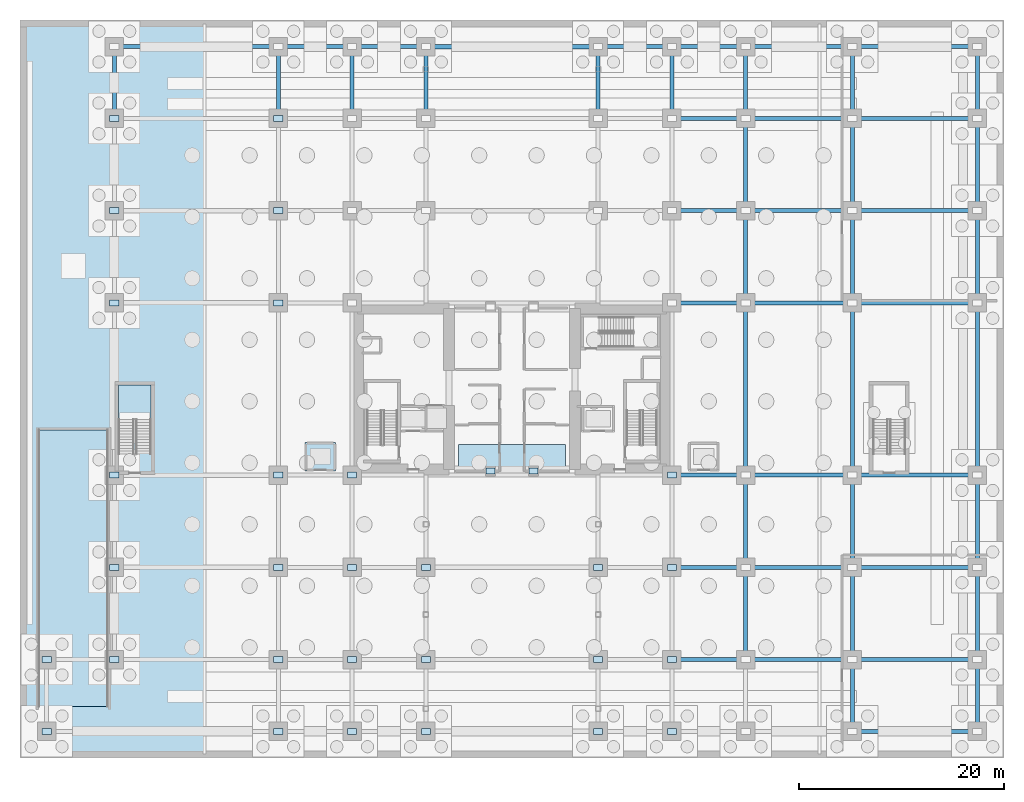
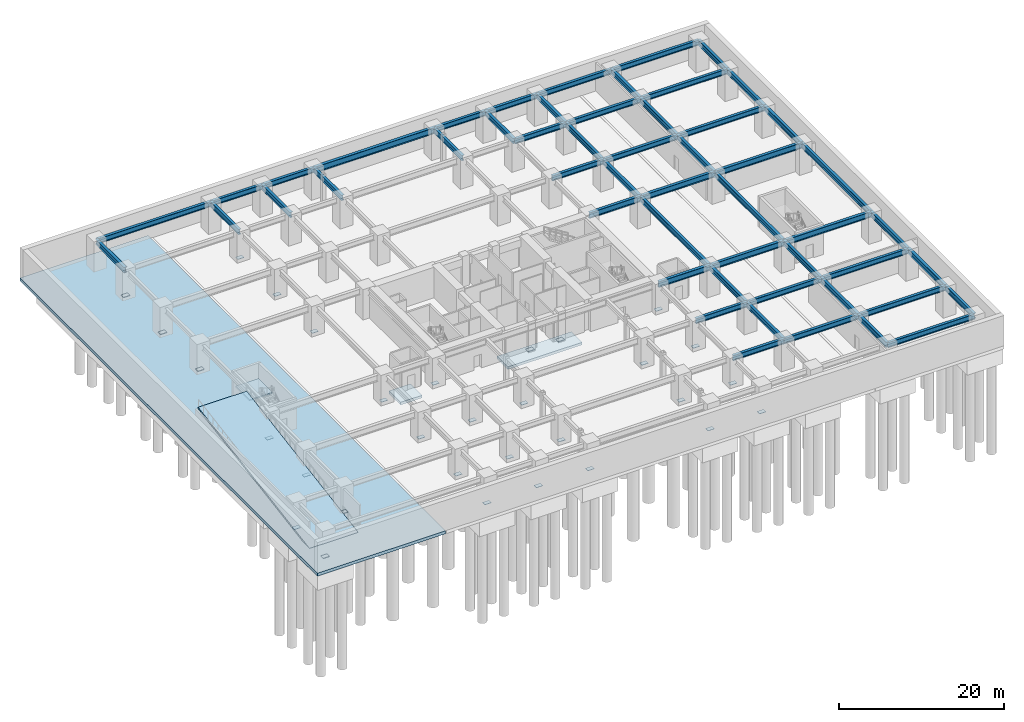
# One storey, part 7 of 23: 53 beams, 31 plates, 5 slabs, 1 element without a shape of its own.
"""IFC4 building model written with IfcOpenShell, lengths in metres."""

from ifc_helpers import new_model, si_unit, direction, frame, origin, origin_2d, place, context, subcontext, project, spatial, polyline, rectangle, i_section, outline, extrude, material, layer, layer_set, material_profile, profile_set, type_object, element, aggregate, save


model = new_model("IFC4")

# Units and contexts
model_context = context("Model", 3, precision=1e-05, world=origin(), true_north=direction((0.0, 1.0)))
body_context = subcontext(model_context, "Body", "Model", "MODEL_VIEW")
ifc_project = project(units=[si_unit("LENGTHUNIT", "METRE"), si_unit("AREAUNIT", "SQUARE_METRE"), si_unit("VOLUMEUNIT", "CUBIC_METRE"), si_unit("PLANEANGLEUNIT", "RADIAN"), si_unit("MASSUNIT", "GRAM", prefix="KILO")], contexts=[model_context])

# Site, building, storey
site_placement = place(None, origin())
site = spatial("IfcSite", under=ifc_project, at=site_placement, CompositionType="ELEMENT")
building_placement = place(site_placement, origin())
building = spatial("IfcBuilding", under=site, at=building_placement, Name="Kiyonajd Concourse Tower", CompositionType="ELEMENT")
storey_placement = place(building_placement, frame((0.0, 0.0, -9.0)))
storey = spatial("IfcBuildingStorey", under=building, at=storey_placement, Name="B2", CompositionType="ELEMENT", Elevation=-9.0)

# Beams
ifc_material_1 = material(Name="Steel ASTM A992 Grade 50", Category="steel")
ifc_material_profile_1 = material_profile(ifc_material_1, i_section(OverallWidth=0.41796875, OverallDepth=0.912109375, WebThickness=0.019287109375, FlangeThickness=0.031982421875, at=origin_2d()), Name="W920X342")
ifc_profile_set_1 = profile_set([ifc_material_profile_1], Name="Steel ASTM A992 Grade 50")
beam_type_1 = type_object("IfcBeamType", Name="BM-CON-920B", PredefinedType="BEAM", material=ifc_profile_set_1)
beam_1_placement = place(storey_placement, frame((39.60009765625, 69.39990234375, 3.72412109375), z_axis=(1.0, 0.0, 0.0), x_axis=(0.0, 1.0, 0.0)))
element("IfcBeam", 1, at=beam_1_placement, inside=storey, type_object=beam_type_1, Name="B2 Concourse Clear Span Girder", PredefinedType="BEAM", context=body_context, shape_type="SweptSolid", body=[
    extrude(i_section(OverallWidth=0.41796875, OverallDepth=0.912109375, WebThickness=0.019287109375, FlangeThickness=0.031982421875, at=origin_2d()), origin(), (0.0, 0.0, 1.0), 16.7998046875),
])
ifc_material_profile_2 = material_profile(ifc_material_1, i_section(OverallWidth=0.381103515625, OverallDepth=0.77294921875, WebThickness=0.0166015625, FlangeThickness=0.027099609375, at=origin_2d()), Name="W760X257")
ifc_profile_set_2 = profile_set([ifc_material_profile_2], Name="Steel ASTM A992 Grade 50")
beam_type_2 = type_object("IfcBeamType", Name="BM-POD-760", PredefinedType="BEAM", material=ifc_profile_set_2)
beam_2_placement = place(storey_placement, frame((81.199951171875, 2.60009765625, 3.79345703125), z_axis=(1.0, 0.0, 0.0), x_axis=(0.0, 1.0, 0.0)))
element("IfcBeam", 2, at=beam_2_placement, inside=storey, type_object=beam_type_2, Name="B2 Podium Primary Beam", PredefinedType="BEAM", context=body_context, shape_type="SweptSolid", body=[
    extrude(i_section(OverallWidth=0.381103515625, OverallDepth=0.77294921875, WebThickness=0.0166015625, FlangeThickness=0.027099609375, at=origin_2d()), origin(), (0.0, 0.0, 1.0), 12.199951171875),
])
beam_3_placement = place(storey_placement, frame((63.60009765625, 9.60009765625, 3.79345703125), z_axis=(1.0, 0.0, 0.0), x_axis=(0.0, 1.0, 0.0)))
element("IfcBeam", 3, at=beam_3_placement, inside=storey, type_object=beam_type_2, Name="B2 Podium Primary Beam", PredefinedType="BEAM", context=body_context, shape_type="SweptSolid", body=[
    extrude(i_section(OverallWidth=0.381103515625, OverallDepth=0.77294921875, WebThickness=0.0166015625, FlangeThickness=0.027099609375, at=origin_2d()), origin(), (0.0, 0.0, 1.0), 7.199951171875),
])
beam_4_placement = place(storey_placement, frame((70.800048828125, 9.60009765625, 3.79345703125), z_axis=(1.0, 0.0, 0.0), x_axis=(0.0, 1.0, 0.0)))
element("IfcBeam", 4, at=beam_4_placement, inside=storey, type_object=beam_type_2, Name="B2 Podium Primary Beam", PredefinedType="BEAM", context=body_context, shape_type="SweptSolid", body=[
    extrude(i_section(OverallWidth=0.381103515625, OverallDepth=0.77294921875, WebThickness=0.0166015625, FlangeThickness=0.027099609375, at=origin_2d()), origin(), (0.0, 0.0, 1.0), 10.39990234375),
])
beam_5_placement = place(storey_placement, frame((81.199951171875, 9.60009765625, 3.79345703125), z_axis=(1.0, 0.0, 0.0), x_axis=(0.0, 1.0, 0.0)))
element("IfcBeam", 5, at=beam_5_placement, inside=storey, type_object=beam_type_2, Name="B2 Podium Primary Beam", PredefinedType="BEAM", context=body_context, shape_type="SweptSolid", body=[
    extrude(i_section(OverallWidth=0.381103515625, OverallDepth=0.77294921875, WebThickness=0.0166015625, FlangeThickness=0.027099609375, at=origin_2d()), origin(), (0.0, 0.0, 1.0), 12.199951171875),
])
beam_6_placement = place(storey_placement, frame((63.60009765625, 18.60009765625, 3.79345703125), z_axis=(1.0, 0.0, 0.0), x_axis=(0.0, 1.0, 0.0)))
element("IfcBeam", 6, at=beam_6_placement, inside=storey, type_object=beam_type_2, Name="B2 Podium Primary Beam", PredefinedType="BEAM", context=body_context, shape_type="SweptSolid", body=[
    extrude(i_section(OverallWidth=0.381103515625, OverallDepth=0.77294921875, WebThickness=0.0166015625, FlangeThickness=0.027099609375, at=origin_2d()), origin(), (0.0, 0.0, 1.0), 7.199951171875),
])
beam_7_placement = place(storey_placement, frame((70.800048828125, 18.60009765625, 3.79345703125), z_axis=(1.0, 0.0, 0.0), x_axis=(0.0, 1.0, 0.0)))
element("IfcBeam", 7, at=beam_7_placement, inside=storey, type_object=beam_type_2, Name="B2 Podium Primary Beam", PredefinedType="BEAM", context=body_context, shape_type="SweptSolid", body=[
    extrude(i_section(OverallWidth=0.381103515625, OverallDepth=0.77294921875, WebThickness=0.0166015625, FlangeThickness=0.027099609375, at=origin_2d()), origin(), (0.0, 0.0, 1.0), 10.39990234375),
])
beam_8_placement = place(storey_placement, frame((81.199951171875, 18.60009765625, 3.79345703125), z_axis=(1.0, 0.0, 0.0), x_axis=(0.0, 1.0, 0.0)))
element("IfcBeam", 8, at=beam_8_placement, inside=storey, type_object=beam_type_2, Name="B2 Podium Primary Beam", PredefinedType="BEAM", context=body_context, shape_type="SweptSolid", body=[
    extrude(i_section(OverallWidth=0.381103515625, OverallDepth=0.77294921875, WebThickness=0.0166015625, FlangeThickness=0.027099609375, at=origin_2d()), origin(), (0.0, 0.0, 1.0), 12.199951171875),
])
beam_9_placement = place(storey_placement, frame((63.60009765625, 53.39990234375, 3.79345703125), z_axis=(1.0, 0.0, 0.0), x_axis=(0.0, 1.0, 0.0)))
element("IfcBeam", 9, at=beam_9_placement, inside=storey, type_object=beam_type_2, Name="B2 Podium Primary Beam", PredefinedType="BEAM", context=body_context, shape_type="SweptSolid", body=[
    extrude(i_section(OverallWidth=0.381103515625, OverallDepth=0.77294921875, WebThickness=0.0166015625, FlangeThickness=0.027099609375, at=origin_2d()), origin(), (0.0, 0.0, 1.0), 7.199951171875),
])
beam_10_placement = place(storey_placement, frame((70.800048828125, 53.39990234375, 3.79345703125), z_axis=(1.0, 0.0, 0.0), x_axis=(0.0, 1.0, 0.0)))
element("IfcBeam", 10, at=beam_10_placement, inside=storey, type_object=beam_type_2, Name="B2 Podium Primary Beam", PredefinedType="BEAM", context=body_context, shape_type="SweptSolid", body=[
    extrude(i_section(OverallWidth=0.381103515625, OverallDepth=0.77294921875, WebThickness=0.0166015625, FlangeThickness=0.027099609375, at=origin_2d()), origin(), (0.0, 0.0, 1.0), 10.39990234375),
])
beam_11_placement = place(storey_placement, frame((81.199951171875, 53.39990234375, 3.79345703125), z_axis=(1.0, 0.0, 0.0), x_axis=(0.0, 1.0, 0.0)))
element("IfcBeam", 11, at=beam_11_placement, inside=storey, type_object=beam_type_2, Name="B2 Podium Primary Beam", PredefinedType="BEAM", context=body_context, shape_type="SweptSolid", body=[
    extrude(i_section(OverallWidth=0.381103515625, OverallDepth=0.77294921875, WebThickness=0.0166015625, FlangeThickness=0.027099609375, at=origin_2d()), origin(), (0.0, 0.0, 1.0), 12.199951171875),
])
beam_12_placement = place(storey_placement, frame((63.60009765625, 62.39990234375, 3.79345703125), z_axis=(1.0, 0.0, 0.0), x_axis=(0.0, 1.0, 0.0)))
element("IfcBeam", 12, at=beam_12_placement, inside=storey, type_object=beam_type_2, Name="B2 Podium Primary Beam", PredefinedType="BEAM", context=body_context, shape_type="SweptSolid", body=[
    extrude(i_section(OverallWidth=0.381103515625, OverallDepth=0.77294921875, WebThickness=0.0166015625, FlangeThickness=0.027099609375, at=origin_2d()), origin(), (0.0, 0.0, 1.0), 7.199951171875),
])
beam_13_placement = place(storey_placement, frame((70.800048828125, 62.39990234375, 3.79345703125), z_axis=(1.0, 0.0, 0.0), x_axis=(0.0, 1.0, 0.0)))
element("IfcBeam", 13, at=beam_13_placement, inside=storey, type_object=beam_type_2, Name="B2 Podium Primary Beam", PredefinedType="BEAM", context=body_context, shape_type="SweptSolid", body=[
    extrude(i_section(OverallWidth=0.381103515625, OverallDepth=0.77294921875, WebThickness=0.0166015625, FlangeThickness=0.027099609375, at=origin_2d()), origin(), (0.0, 0.0, 1.0), 10.39990234375),
])
beam_14_placement = place(storey_placement, frame((81.199951171875, 62.39990234375, 3.79345703125), z_axis=(1.0, 0.0, 0.0), x_axis=(0.0, 1.0, 0.0)))
element("IfcBeam", 14, at=beam_14_placement, inside=storey, type_object=beam_type_2, Name="B2 Podium Primary Beam", PredefinedType="BEAM", context=body_context, shape_type="SweptSolid", body=[
    extrude(i_section(OverallWidth=0.381103515625, OverallDepth=0.77294921875, WebThickness=0.0166015625, FlangeThickness=0.027099609375, at=origin_2d()), origin(), (0.0, 0.0, 1.0), 12.199951171875),
])
beam_15_placement = place(storey_placement, frame((9.199951171875, 69.39990234375, 3.79345703125), z_axis=(1.0, 0.0, 0.0), x_axis=(0.0, 1.0, 0.0)))
element("IfcBeam", 15, at=beam_15_placement, inside=storey, type_object=beam_type_2, Name="B2 Podium Primary Beam", PredefinedType="BEAM", context=body_context, shape_type="SweptSolid", body=[
    extrude(i_section(OverallWidth=0.381103515625, OverallDepth=0.77294921875, WebThickness=0.0166015625, FlangeThickness=0.027099609375, at=origin_2d()), origin(), (0.0, 0.0, 1.0), 16.0),
])
beam_16_placement = place(storey_placement, frame((25.199951171875, 69.39990234375, 3.79345703125), z_axis=(1.0, 0.0, 0.0), x_axis=(0.0, 1.0, 0.0)))
element("IfcBeam", 16, at=beam_16_placement, inside=storey, type_object=beam_type_2, Name="B2 Podium Primary Beam", PredefinedType="BEAM", context=body_context, shape_type="SweptSolid", body=[
    extrude(i_section(OverallWidth=0.381103515625, OverallDepth=0.77294921875, WebThickness=0.0166015625, FlangeThickness=0.027099609375, at=origin_2d()), origin(), (0.0, 0.0, 1.0), 7.199951171875),
])
for number, where, z_axis, x_axis, name in (
    (17, (32.39990234375, 69.39990234375, 3.79345703125), (1.0, 0.0, 0.0), (0.0, 1.0, 0.0), "B2 Podium Primary Beam"),
    (18, (56.39990234375, 69.39990234375, 3.79345703125), (1.0, 0.0, 0.0), (0.0, 1.0, 0.0), "B2 Podium Primary Beam"),
):
    element("IfcBeam", number, at=place(storey_placement, frame(where, z_axis=z_axis, x_axis=x_axis)), inside=storey, type_object=beam_type_2, Name=name, PredefinedType="BEAM", context=body_context, shape_type="SweptSolid", body=[
        extrude(i_section(OverallWidth=0.381103515625, OverallDepth=0.77294921875, WebThickness=0.0166015625, FlangeThickness=0.027099609375, at=origin_2d()), origin(), (0.0, 0.0, 1.0), 7.2001953125),
    ])
beam_17_placement = place(storey_placement, frame((63.60009765625, 69.39990234375, 3.79345703125), z_axis=(1.0, 0.0, 0.0), x_axis=(0.0, 1.0, 0.0)))
element("IfcBeam", 19, at=beam_17_placement, inside=storey, type_object=beam_type_2, Name="B2 Podium Primary Beam", PredefinedType="BEAM", context=body_context, shape_type="SweptSolid", body=[
    extrude(i_section(OverallWidth=0.381103515625, OverallDepth=0.77294921875, WebThickness=0.0166015625, FlangeThickness=0.027099609375, at=origin_2d()), origin(), (0.0, 0.0, 1.0), 7.199951171875),
])
beam_18_placement = place(storey_placement, frame((70.800048828125, 69.39990234375, 3.79345703125), z_axis=(1.0, 0.0, 0.0), x_axis=(0.0, 1.0, 0.0)))
element("IfcBeam", 20, at=beam_18_placement, inside=storey, type_object=beam_type_2, Name="B2 Podium Primary Beam", PredefinedType="BEAM", context=body_context, shape_type="SweptSolid", body=[
    extrude(i_section(OverallWidth=0.381103515625, OverallDepth=0.77294921875, WebThickness=0.0166015625, FlangeThickness=0.027099609375, at=origin_2d()), origin(), (0.0, 0.0, 1.0), 10.39990234375),
])
beam_19_placement = place(storey_placement, frame((81.199951171875, 69.39990234375, 3.79345703125), z_axis=(1.0, 0.0, 0.0), x_axis=(0.0, 1.0, 0.0)))
element("IfcBeam", 21, at=beam_19_placement, inside=storey, type_object=beam_type_2, Name="B2 Podium Primary Beam", PredefinedType="BEAM", context=body_context, shape_type="SweptSolid", body=[
    extrude(i_section(OverallWidth=0.381103515625, OverallDepth=0.77294921875, WebThickness=0.0166015625, FlangeThickness=0.027099609375, at=origin_2d()), origin(), (0.0, 0.0, 1.0), 12.199951171875),
])
for number, where, z_axis, x_axis, name in (
    (22, (9.199951171875, 62.39990234375, 3.79345703125), (0.0, 1.0, 0.0), (-1.0, 0.0, 0.0), "B2 Podium North South Beam"),
    (23, (25.199951171875, 62.39990234375, 3.79345703125), (0.0, 1.0, 0.0), (-1.0, 0.0, 0.0), "B2 Podium North South Beam"),
    (24, (32.39990234375, 62.39990234375, 3.79345703125), (0.0, 1.0, 0.0), (-1.0, 0.0, 0.0), "B2 Podium North South Beam"),
    (25, (39.60009765625, 62.39990234375, 3.79345703125), (0.0, 1.0, 0.0), (-1.0, 0.0, 0.0), "B2 Podium North South Beam"),
    (26, (56.39990234375, 62.39990234375, 3.79345703125), (0.0, 1.0, 0.0), (-1.0, 0.0, 0.0), "B2 Podium North South Beam"),
    (27, (63.60009765625, 62.39990234375, 3.79345703125), (0.0, 1.0, 0.0), (-1.0, 0.0, 0.0), "B2 Podium North South Beam"),
):
    element("IfcBeam", number, at=place(storey_placement, frame(where, z_axis=z_axis, x_axis=x_axis)), inside=storey, type_object=beam_type_2, Name=name, PredefinedType="BEAM", context=body_context, shape_type="SweptSolid", body=[
        extrude(i_section(OverallWidth=0.381103515625, OverallDepth=0.77294921875, WebThickness=0.0166015625, FlangeThickness=0.027099609375, at=origin_2d()), origin(), (0.0, 0.0, 1.0), 7.0),
    ])
for number, where, z_axis, x_axis, name in (
    (28, (70.800048828125, 9.60009765625, 3.79345703125), (0.0, 1.0, 0.0), (-1.0, 0.0, 0.0), "B2 Podium North South Beam"),
    (29, (70.800048828125, 18.60009765625, 3.79345703125), (0.0, 1.0, 0.0), (-1.0, 0.0, 0.0), "B2 Podium North South Beam"),
):
    element("IfcBeam", number, at=place(storey_placement, frame(where, z_axis=z_axis, x_axis=x_axis)), inside=storey, type_object=beam_type_2, Name=name, PredefinedType="BEAM", context=body_context, shape_type="SweptSolid", body=[
        extrude(i_section(OverallWidth=0.381103515625, OverallDepth=0.77294921875, WebThickness=0.0166015625, FlangeThickness=0.027099609375, at=origin_2d()), origin(), (0.0, 0.0, 1.0), 9.0),
    ])
beam_20_placement = place(storey_placement, frame((70.800048828125, 27.60009765625, 3.79345703125), z_axis=(0.0, 1.0, 0.0), x_axis=(-1.0, 0.0, 0.0)))
element("IfcBeam", 30, at=beam_20_placement, inside=storey, type_object=beam_type_2, Name="B2 Podium North South Beam", PredefinedType="BEAM", context=body_context, shape_type="SweptSolid", body=[
    extrude(i_section(OverallWidth=0.381103515625, OverallDepth=0.77294921875, WebThickness=0.0166015625, FlangeThickness=0.027099609375, at=origin_2d()), origin(), (0.0, 0.0, 1.0), 16.7998046875),
])
for number, where, z_axis, x_axis, name in (
    (31, (70.800048828125, 44.39990234375, 3.79345703125), (0.0, 1.0, 0.0), (-1.0, 0.0, 0.0), "B2 Podium North South Beam"),
    (32, (70.800048828125, 53.39990234375, 3.79345703125), (0.0, 1.0, 0.0), (-1.0, 0.0, 0.0), "B2 Podium North South Beam"),
):
    element("IfcBeam", number, at=place(storey_placement, frame(where, z_axis=z_axis, x_axis=x_axis)), inside=storey, type_object=beam_type_2, Name=name, PredefinedType="BEAM", context=body_context, shape_type="SweptSolid", body=[
        extrude(i_section(OverallWidth=0.381103515625, OverallDepth=0.77294921875, WebThickness=0.0166015625, FlangeThickness=0.027099609375, at=origin_2d()), origin(), (0.0, 0.0, 1.0), 9.0),
    ])
for number, where, z_axis, x_axis, name in (
    (33, (70.800048828125, 62.39990234375, 3.79345703125), (0.0, 1.0, 0.0), (-1.0, 0.0, 0.0), "B2 Podium North South Beam"),
    (34, (81.199951171875, 2.60009765625, 3.79345703125), (0.0, 1.0, 0.0), (-1.0, 0.0, 0.0), "B2 Podium North South Beam"),
):
    element("IfcBeam", number, at=place(storey_placement, frame(where, z_axis=z_axis, x_axis=x_axis)), inside=storey, type_object=beam_type_2, Name=name, PredefinedType="BEAM", context=body_context, shape_type="SweptSolid", body=[
        extrude(i_section(OverallWidth=0.381103515625, OverallDepth=0.77294921875, WebThickness=0.0166015625, FlangeThickness=0.027099609375, at=origin_2d()), origin(), (0.0, 0.0, 1.0), 7.0),
    ])
for number, where, z_axis, x_axis, name in (
    (35, (81.199951171875, 9.60009765625, 3.79345703125), (0.0, 1.0, 0.0), (-1.0, 0.0, 0.0), "B2 Podium North South Beam"),
    (36, (81.199951171875, 18.60009765625, 3.79345703125), (0.0, 1.0, 0.0), (-1.0, 0.0, 0.0), "B2 Podium North South Beam"),
):
    element("IfcBeam", number, at=place(storey_placement, frame(where, z_axis=z_axis, x_axis=x_axis)), inside=storey, type_object=beam_type_2, Name=name, PredefinedType="BEAM", context=body_context, shape_type="SweptSolid", body=[
        extrude(i_section(OverallWidth=0.381103515625, OverallDepth=0.77294921875, WebThickness=0.0166015625, FlangeThickness=0.027099609375, at=origin_2d()), origin(), (0.0, 0.0, 1.0), 9.0),
    ])
beam_21_placement = place(storey_placement, frame((81.199951171875, 27.60009765625, 3.79345703125), z_axis=(0.0, 1.0, 0.0), x_axis=(-1.0, 0.0, 0.0)))
element("IfcBeam", 37, at=beam_21_placement, inside=storey, type_object=beam_type_2, Name="B2 Podium North South Beam", PredefinedType="BEAM", context=body_context, shape_type="SweptSolid", body=[
    extrude(i_section(OverallWidth=0.381103515625, OverallDepth=0.77294921875, WebThickness=0.0166015625, FlangeThickness=0.027099609375, at=origin_2d()), origin(), (0.0, 0.0, 1.0), 16.7998046875),
])
for number, where, z_axis, x_axis, name in (
    (38, (81.199951171875, 44.39990234375, 3.79345703125), (0.0, 1.0, 0.0), (-1.0, 0.0, 0.0), "B2 Podium North South Beam"),
    (39, (81.199951171875, 53.39990234375, 3.79345703125), (0.0, 1.0, 0.0), (-1.0, 0.0, 0.0), "B2 Podium North South Beam"),
):
    element("IfcBeam", number, at=place(storey_placement, frame(where, z_axis=z_axis, x_axis=x_axis)), inside=storey, type_object=beam_type_2, Name=name, PredefinedType="BEAM", context=body_context, shape_type="SweptSolid", body=[
        extrude(i_section(OverallWidth=0.381103515625, OverallDepth=0.77294921875, WebThickness=0.0166015625, FlangeThickness=0.027099609375, at=origin_2d()), origin(), (0.0, 0.0, 1.0), 9.0),
    ])
for number, where, z_axis, x_axis, name in (
    (40, (81.199951171875, 62.39990234375, 3.79345703125), (0.0, 1.0, 0.0), (-1.0, 0.0, 0.0), "B2 Podium North South Beam"),
    (41, (93.39990234375, 2.60009765625, 3.79345703125), (0.0, 1.0, 0.0), (-1.0, 0.0, 0.0), "B2 Podium North South Beam"),
):
    element("IfcBeam", number, at=place(storey_placement, frame(where, z_axis=z_axis, x_axis=x_axis)), inside=storey, type_object=beam_type_2, Name=name, PredefinedType="BEAM", context=body_context, shape_type="SweptSolid", body=[
        extrude(i_section(OverallWidth=0.381103515625, OverallDepth=0.77294921875, WebThickness=0.0166015625, FlangeThickness=0.027099609375, at=origin_2d()), origin(), (0.0, 0.0, 1.0), 7.0),
    ])
for number, where, z_axis, x_axis, name in (
    (42, (93.39990234375, 9.60009765625, 3.79345703125), (0.0, 1.0, 0.0), (-1.0, 0.0, 0.0), "B2 Podium North South Beam"),
    (43, (93.39990234375, 18.60009765625, 3.79345703125), (0.0, 1.0, 0.0), (-1.0, 0.0, 0.0), "B2 Podium North South Beam"),
):
    element("IfcBeam", number, at=place(storey_placement, frame(where, z_axis=z_axis, x_axis=x_axis)), inside=storey, type_object=beam_type_2, Name=name, PredefinedType="BEAM", context=body_context, shape_type="SweptSolid", body=[
        extrude(i_section(OverallWidth=0.381103515625, OverallDepth=0.77294921875, WebThickness=0.0166015625, FlangeThickness=0.027099609375, at=origin_2d()), origin(), (0.0, 0.0, 1.0), 9.0),
    ])
beam_22_placement = place(storey_placement, frame((93.39990234375, 27.60009765625, 3.79345703125), z_axis=(0.0, 1.0, 0.0), x_axis=(-1.0, 0.0, 0.0)))
element("IfcBeam", 44, at=beam_22_placement, inside=storey, type_object=beam_type_2, Name="B2 Podium North South Beam", PredefinedType="BEAM", context=body_context, shape_type="SweptSolid", body=[
    extrude(i_section(OverallWidth=0.381103515625, OverallDepth=0.77294921875, WebThickness=0.0166015625, FlangeThickness=0.027099609375, at=origin_2d()), origin(), (0.0, 0.0, 1.0), 16.7998046875),
])
for number, where, z_axis, x_axis, name in (
    (45, (93.39990234375, 44.39990234375, 3.79345703125), (0.0, 1.0, 0.0), (-1.0, 0.0, 0.0), "B2 Podium North South Beam"),
    (46, (93.39990234375, 53.39990234375, 3.79345703125), (0.0, 1.0, 0.0), (-1.0, 0.0, 0.0), "B2 Podium North South Beam"),
):
    element("IfcBeam", number, at=place(storey_placement, frame(where, z_axis=z_axis, x_axis=x_axis)), inside=storey, type_object=beam_type_2, Name=name, PredefinedType="BEAM", context=body_context, shape_type="SweptSolid", body=[
        extrude(i_section(OverallWidth=0.381103515625, OverallDepth=0.77294921875, WebThickness=0.0166015625, FlangeThickness=0.027099609375, at=origin_2d()), origin(), (0.0, 0.0, 1.0), 9.0),
    ])
beam_23_placement = place(storey_placement, frame((93.39990234375, 62.39990234375, 3.79345703125), z_axis=(0.0, 1.0, 0.0), x_axis=(-1.0, 0.0, 0.0)))
element("IfcBeam", 47, at=beam_23_placement, inside=storey, type_object=beam_type_2, Name="B2 Podium North South Beam", PredefinedType="BEAM", context=body_context, shape_type="SweptSolid", body=[
    extrude(i_section(OverallWidth=0.381103515625, OverallDepth=0.77294921875, WebThickness=0.0166015625, FlangeThickness=0.027099609375, at=origin_2d()), origin(), (0.0, 0.0, 1.0), 7.0),
])
ifc_material_profile_3 = material_profile(ifc_material_1, i_section(OverallWidth=0.39990234375, OverallDepth=0.85498046875, WebThickness=0.018310546875, FlangeThickness=0.029296875, at=origin_2d()), Name="W840X299")
ifc_profile_set_3 = profile_set([ifc_material_profile_3], Name="Steel ASTM A992 Grade 50")
beam_type_3 = type_object("IfcBeamType", Name="BM-POD-840", PredefinedType="BEAM", material=ifc_profile_set_3)
beam_24_placement = place(storey_placement, frame((63.60009765625, 27.60009765625, 3.75244140625), z_axis=(1.0, 0.0, 0.0), x_axis=(0.0, 1.0, 0.0)))
element("IfcBeam", 48, at=beam_24_placement, inside=storey, type_object=beam_type_3, Name="B2 Podium Primary Beam", PredefinedType="BEAM", context=body_context, shape_type="SweptSolid", body=[
    extrude(i_section(OverallWidth=0.39990234375, OverallDepth=0.85498046875, WebThickness=0.018310546875, FlangeThickness=0.029296875, at=origin_2d()), origin(), (0.0, 0.0, 1.0), 7.199951171875),
])
beam_25_placement = place(storey_placement, frame((70.800048828125, 27.60009765625, 3.75244140625), z_axis=(1.0, 0.0, 0.0), x_axis=(0.0, 1.0, 0.0)))
element("IfcBeam", 49, at=beam_25_placement, inside=storey, type_object=beam_type_3, Name="B2 Podium Primary Beam", PredefinedType="BEAM", context=body_context, shape_type="SweptSolid", body=[
    extrude(i_section(OverallWidth=0.39990234375, OverallDepth=0.85498046875, WebThickness=0.018310546875, FlangeThickness=0.029296875, at=origin_2d()), origin(), (0.0, 0.0, 1.0), 10.39990234375),
])
beam_26_placement = place(storey_placement, frame((81.199951171875, 27.60009765625, 3.75244140625), z_axis=(1.0, 0.0, 0.0), x_axis=(0.0, 1.0, 0.0)))
element("IfcBeam", 50, at=beam_26_placement, inside=storey, type_object=beam_type_3, Name="B2 Podium Primary Beam", PredefinedType="BEAM", context=body_context, shape_type="SweptSolid", body=[
    extrude(i_section(OverallWidth=0.39990234375, OverallDepth=0.85498046875, WebThickness=0.018310546875, FlangeThickness=0.029296875, at=origin_2d()), origin(), (0.0, 0.0, 1.0), 12.199951171875),
])
beam_27_placement = place(storey_placement, frame((63.60009765625, 44.39990234375, 3.75244140625), z_axis=(1.0, 0.0, 0.0), x_axis=(0.0, 1.0, 0.0)))
element("IfcBeam", 51, at=beam_27_placement, inside=storey, type_object=beam_type_3, Name="B2 Podium Primary Beam", PredefinedType="BEAM", context=body_context, shape_type="SweptSolid", body=[
    extrude(i_section(OverallWidth=0.39990234375, OverallDepth=0.85498046875, WebThickness=0.018310546875, FlangeThickness=0.029296875, at=origin_2d()), origin(), (0.0, 0.0, 1.0), 7.199951171875),
])
beam_28_placement = place(storey_placement, frame((70.800048828125, 44.39990234375, 3.75244140625), z_axis=(1.0, 0.0, 0.0), x_axis=(0.0, 1.0, 0.0)))
element("IfcBeam", 52, at=beam_28_placement, inside=storey, type_object=beam_type_3, Name="B2 Podium Primary Beam", PredefinedType="BEAM", context=body_context, shape_type="SweptSolid", body=[
    extrude(i_section(OverallWidth=0.39990234375, OverallDepth=0.85498046875, WebThickness=0.018310546875, FlangeThickness=0.029296875, at=origin_2d()), origin(), (0.0, 0.0, 1.0), 10.39990234375),
])
beam_29_placement = place(storey_placement, frame((81.199951171875, 44.39990234375, 3.75244140625), z_axis=(1.0, 0.0, 0.0), x_axis=(0.0, 1.0, 0.0)))
element("IfcBeam", 53, at=beam_29_placement, inside=storey, type_object=beam_type_3, Name="B2 Podium Primary Beam", PredefinedType="BEAM", context=body_context, shape_type="SweptSolid", body=[
    extrude(i_section(OverallWidth=0.39990234375, OverallDepth=0.85498046875, WebThickness=0.018310546875, FlangeThickness=0.029296875, at=origin_2d()), origin(), (0.0, 0.0, 1.0), 12.199951171875),
])

# Plates
ifc_material_2 = material(Name="Steel ASTM A572 Grade 50", Category="steel")
ifc_layer_1 = layer(ifc_material_2, 0.050048828125)
ifc_layer_set_1 = layer_set([ifc_layer_1], Name="Steel ASTM A572 Grade 50")
plate_type = type_object("IfcPlateType", Name="PL-BASE-900", PredefinedType="SHEET", material=ifc_layer_set_1)
for number, where, z_axis, x_axis, name in (
    (54, (2.60009765625, 2.60009765625, 0.0), (0.0, 0.0, 1.0), (1.0, 0.0, 0.0), "B2 Mega Column Anchor Base Plate"),
    (55, (2.60009765625, 9.60009765625, 0.0), (0.0, 0.0, 1.0), (1.0, 0.0, 0.0), "B2 Mega Column Anchor Base Plate"),
    (56, (9.199951171875, 9.60009765625, 0.0), (0.0, 0.0, 1.0), (1.0, 0.0, 0.0), "B2 Mega Column Anchor Base Plate"),
    (57, (9.199951171875, 18.60009765625, 0.0), (0.0, 0.0, 1.0), (1.0, 0.0, 0.0), "B2 Mega Column Anchor Base Plate"),
    (58, (9.199951171875, 27.60009765625, 0.0), (0.0, 0.0, 1.0), (1.0, 0.0, 0.0), "B2 Mega Column Anchor Base Plate"),
    (59, (9.199951171875, 44.39990234375, 0.0), (0.0, 0.0, 1.0), (1.0, 0.0, 0.0), "B2 Mega Column Anchor Base Plate"),
    (60, (9.199951171875, 53.39990234375, 0.0), (0.0, 0.0, 1.0), (1.0, 0.0, 0.0), "B2 Mega Column Anchor Base Plate"),
    (61, (9.199951171875, 62.39990234375, 0.0), (0.0, 0.0, 1.0), (1.0, 0.0, 0.0), "B2 Mega Column Anchor Base Plate"),
    (62, (25.199951171875, 2.60009765625, 0.0), (0.0, 0.0, 1.0), (1.0, 0.0, 0.0), "B2 Mega Column Anchor Base Plate"),
    (63, (25.199951171875, 9.60009765625, 0.0), (0.0, 0.0, 1.0), (1.0, 0.0, 0.0), "B2 Mega Column Anchor Base Plate"),
    (64, (25.199951171875, 18.60009765625, 0.0), (0.0, 0.0, 1.0), (1.0, 0.0, 0.0), "B2 Mega Column Anchor Base Plate"),
    (65, (25.199951171875, 27.60009765625, 0.0), (0.0, 0.0, 1.0), (1.0, 0.0, 0.0), "B2 Mega Column Anchor Base Plate"),
    (66, (25.199951171875, 44.39990234375, 0.0), (0.0, 0.0, 1.0), (1.0, 0.0, 0.0), "B2 Mega Column Anchor Base Plate"),
    (67, (25.199951171875, 53.39990234375, 0.0), (0.0, 0.0, 1.0), (1.0, 0.0, 0.0), "B2 Mega Column Anchor Base Plate"),
    (68, (25.199951171875, 62.39990234375, 0.0), (0.0, 0.0, 1.0), (1.0, 0.0, 0.0), "B2 Mega Column Anchor Base Plate"),
    (69, (32.39990234375, 2.60009765625, 0.0), (0.0, 0.0, 1.0), (1.0, 0.0, 0.0), "B2 Mega Column Anchor Base Plate"),
    (70, (32.39990234375, 9.60009765625, 0.0), (0.0, 0.0, 1.0), (1.0, 0.0, 0.0), "B2 Mega Column Anchor Base Plate"),
    (71, (32.39990234375, 18.60009765625, 0.0), (0.0, 0.0, 1.0), (1.0, 0.0, 0.0), "B2 Mega Column Anchor Base Plate"),
    (72, (32.39990234375, 27.60009765625, 0.0), (0.0, 0.0, 1.0), (1.0, 0.0, 0.0), "B2 Mega Column Anchor Base Plate"),
    (73, (39.60009765625, 2.60009765625, 0.0), (0.0, 0.0, 1.0), (1.0, 0.0, 0.0), "B2 Mega Column Anchor Base Plate"),
    (74, (39.60009765625, 9.60009765625, 0.0), (0.0, 0.0, 1.0), (1.0, 0.0, 0.0), "B2 Mega Column Anchor Base Plate"),
    (75, (39.60009765625, 18.60009765625, 0.0), (0.0, 0.0, 1.0), (1.0, 0.0, 0.0), "B2 Mega Column Anchor Base Plate"),
    (76, (56.39990234375, 2.60009765625, 0.0), (0.0, 0.0, 1.0), (1.0, 0.0, 0.0), "B2 Mega Column Anchor Base Plate"),
    (77, (56.39990234375, 9.60009765625, 0.0), (0.0, 0.0, 1.0), (1.0, 0.0, 0.0), "B2 Mega Column Anchor Base Plate"),
    (78, (56.39990234375, 18.60009765625, 0.0), (0.0, 0.0, 1.0), (1.0, 0.0, 0.0), "B2 Mega Column Anchor Base Plate"),
    (79, (63.60009765625, 2.60009765625, 0.0), (0.0, 0.0, 1.0), (1.0, 0.0, 0.0), "B2 Mega Column Anchor Base Plate"),
    (80, (63.60009765625, 9.60009765625, 0.0), (0.0, 0.0, 1.0), (1.0, 0.0, 0.0), "B2 Mega Column Anchor Base Plate"),
    (81, (63.60009765625, 18.60009765625, 0.0), (0.0, 0.0, 1.0), (1.0, 0.0, 0.0), "B2 Mega Column Anchor Base Plate"),
    (82, (63.60009765625, 27.60009765625, 0.0), (0.0, 0.0, 1.0), (1.0, 0.0, 0.0), "B2 Mega Column Anchor Base Plate"),
    (83, (45.89990234375, 28.0, 0.0), (0.0, 0.0, 1.0), (1.0, 0.0, 0.0), "B2 Mega Column Anchor Base Plate"),
    (84, (50.10009765625, 28.0, 0.0), (0.0, 0.0, 1.0), (1.0, 0.0, 0.0), "B2 Mega Column Anchor Base Plate"),
):
    element("IfcPlate", number, at=place(storey_placement, frame(where, z_axis=z_axis, x_axis=x_axis)), inside=storey, type_object=plate_type, Name=name, PredefinedType="SHEET", context=body_context, shape_type="SweptSolid", body=[
        extrude(rectangle(XDim=0.89990234375, YDim=0.60009765625, at=origin_2d()), origin(), (0.0, 0.0, 1.0), 0.050048828125),
    ])

# Slab
ifc_material_3 = material(Name="Concrete C50/60", Category="concrete")
ifc_layer_2 = layer(ifc_material_3, 0.449951171875)
ifc_layer_set_2 = layer_set([ifc_layer_2], Name="Concrete C50/60")
slab_type_1 = type_object("IfcSlabType", Name="SL-BASE-450", PredefinedType="BASESLAB", material=ifc_layer_set_2)
slab_1_placement = place(storey_placement, frame((0.0, 0.0, -0.449951171875)))
element("IfcSlab", 85, at=slab_1_placement, inside=storey, type_object=slab_type_1, Name="B2 West Wing Structural Base Slab", PredefinedType="BASESLAB", context=body_context, shape_type="SweptSolid", body=[
    extrude(outline(polyline([(0.0, 0.0), (17.93994140625, 0.0), (17.93994140625, 72.0), (0.0, 72.0), (0.0, 0.0)])), origin(), (0.0, 0.0, 1.0), 0.449951171875),
])

# Stair, slab
ifc_material_4 = material(Name="Concrete C40/50", Category="concrete")
stair_type = type_object("IfcStairType", Name="ST-POD-1500", PredefinedType="HALF_TURN_STAIR", material=ifc_material_4)
stair_placement = place(storey_placement, origin())
stair = element("IfcStair", 86, at=stair_placement, inside=storey, type_object=stair_type, Name="B2 West Podium Exit Stair ST4", PredefinedType="HALF_TURN_STAIR")
ifc_layer_3 = layer(ifc_material_4, 0.199951171875)
ifc_layer_set_3 = layer_set([ifc_layer_3], Name="Concrete C40/50")
slab_type_2 = type_object("IfcSlabType", Name="SL-LND-200", PredefinedType="LANDING", material=ifc_layer_set_3)
slab_2_placement = place(storey_placement, frame((0.0, 0.0, 2.050048828125)))
slab_2 = element("IfcSlab", 87, at=slab_2_placement, type_object=slab_type_2, Name="ST4 landing 1", PredefinedType="LANDING", context=body_context, shape_type="SweptSolid", body=[
    extrude(outline(polyline([(12.800048828125, 33.010009765625), (12.800048828125, 36.39990234375), (9.60009765625, 36.39990234375), (9.60009765625, 33.010009765625), (12.800048828125, 33.010009765625)])), origin(), (0.0, 0.0, 1.0), 0.199951171875),
])
aggregate(stair, [slab_2])

# Slabs
ifc_layer_4 = layer(ifc_material_3, 0.3798828125)
ifc_layer_set_4 = layer_set([ifc_layer_4], Name="Concrete C50/60")
slab_type_3 = type_object("IfcSlabType", Name="SL-PIT-380", PredefinedType="BASESLAB", material=ifc_layer_set_4)
slab_3_placement = place(storey_placement, frame((0.0, 0.0, -1.85009765625)))
element("IfcSlab", 88, at=slab_3_placement, inside=storey, type_object=slab_type_3, Name="B2 Elevator Pit Slab 03", PredefinedType="BASESLAB", context=body_context, shape_type="SweptSolid", body=[
    extrude(outline(polyline([(42.800048828125, 28.0), (53.199951171875, 28.0), (53.199951171875, 30.60009765625), (42.800048828125, 30.60009765625), (42.800048828125, 28.0)])), origin(), (0.0, 0.0, 1.0), 0.380126953125),
])
slab_4_placement = place(storey_placement, frame((0.0, 0.0, -1.85009765625)))
element("IfcSlab", 89, at=slab_4_placement, inside=storey, type_object=slab_type_3, Name="B2 Elevator Pit Slab 04", PredefinedType="BASESLAB", context=body_context, shape_type="SweptSolid", body=[
    extrude(outline(polyline([(27.800048828125, 28.0), (30.800048828125, 28.0), (30.800048828125, 30.800048828125), (27.800048828125, 30.800048828125), (27.800048828125, 28.0)])), origin(), (0.0, 0.0, 1.0), 0.380126953125),
])
ifc_layer_5 = layer(ifc_material_4, 0.25)
ifc_layer_set_5 = layer_set([ifc_layer_5], Name="Concrete C40/50")
slab_type_4 = type_object("IfcSlabType", Name="SLB-VRAMP-250", PredefinedType="FLOOR", material=ifc_layer_set_5)
slab_5_placement = place(storey_placement, frame((1.800048828125, 5.0, 0.0), z_axis=(0.0, -0.164398987305, 0.986393923832), x_axis=(1.0, 0.0, 0.0)))
element("IfcSlab", 90, at=slab_5_placement, inside=storey, type_object=slab_type_4, Name="B2 to B1 Car Park Vehicle Ramp Structural Slab", PredefinedType="FLOOR", context=body_context, shape_type="SweptSolid", body=[
    extrude(outline(polyline([(0.0, 0.0), (6.800048828125, 0.0), (6.800048828125, 27.37243138634199), (0.0, 27.37243138634199), (0.0, 0.0)])), origin(), (0.0, 0.0, -1.0), 0.25),
])

save(model, "model.ifc")
